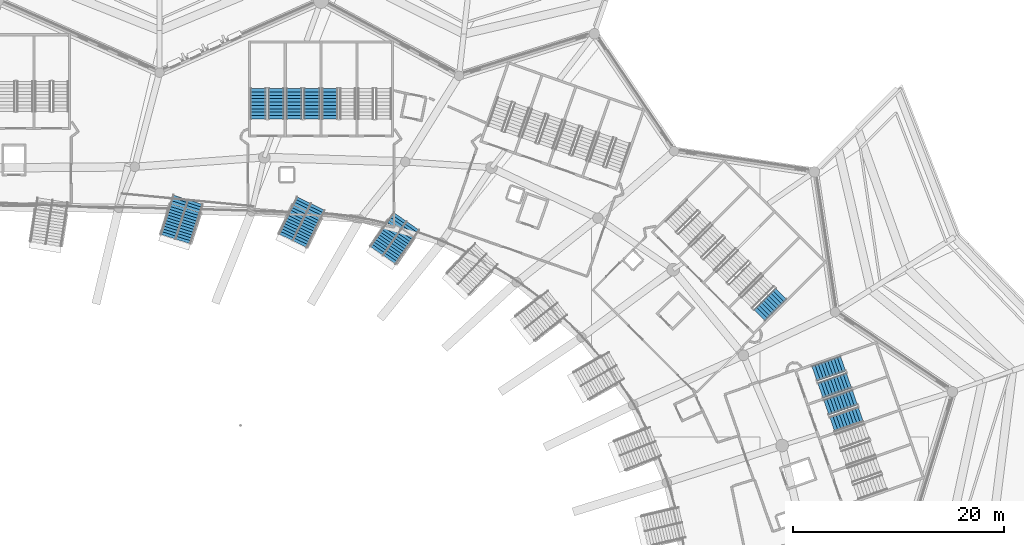
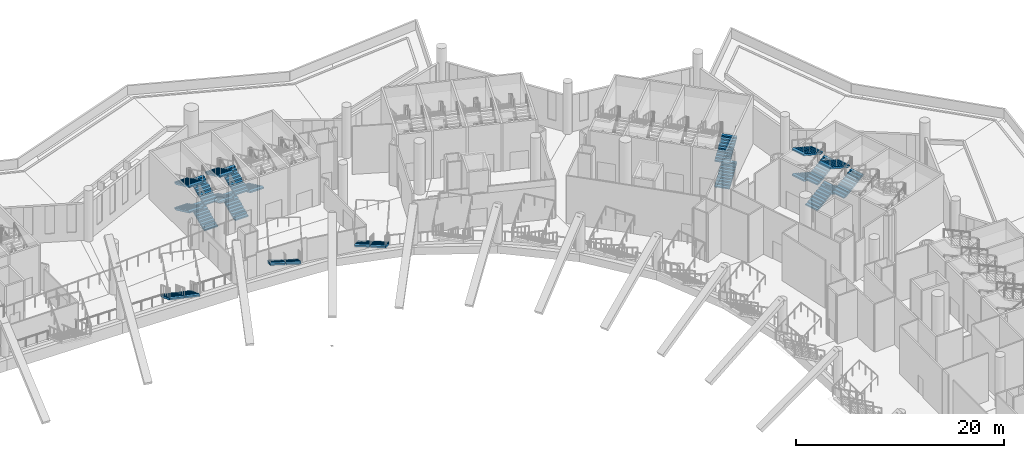
# One storey, part 100 of 173: 24 stair flights, 9 elements without a shape of their own.
"""IFC4 building model written with IfcOpenShell, lengths in metres."""

from ifc_helpers import new_model, si_unit, direction, frame, origin, place, context, subcontext, project, spatial, polyline, outline, extrude, material, type_object, element, aggregate, save


model = new_model("IFC4")

# Units and contexts
model_context = context("Model", 3, precision=1e-05, world=origin(), true_north=direction((0.0, 1.0)))
body_context = subcontext(model_context, "Body", "Model", "MODEL_VIEW")
ifc_project = project(units=[si_unit("LENGTHUNIT", "METRE"), si_unit("AREAUNIT", "SQUARE_METRE"), si_unit("VOLUMEUNIT", "CUBIC_METRE"), si_unit("PLANEANGLEUNIT", "RADIAN"), si_unit("MASSUNIT", "GRAM", prefix="KILO")], contexts=[model_context])

# Site, building, storey
site_placement = place(None, origin())
site = spatial("IfcSite", under=ifc_project, at=site_placement, CompositionType="ELEMENT")
building_placement = place(site_placement, origin())
building = spatial("IfcBuilding", under=site, at=building_placement, Name="Meseta Stadium", CompositionType="ELEMENT")
storey_placement = place(building_placement, frame((0.0, 0.0, 18.0)))
storey = spatial("IfcBuildingStorey", under=building, at=storey_placement, Name="L03", CompositionType="ELEMENT", Elevation=18.0)

# Stair, stair flights
ifc_material_1 = material(Name="Concrete C40/50", Category="concrete")
stair_type_1 = type_object("IfcStairType", Name="Exit stair 4 flights 150 mm risers", PredefinedType="HALF_TURN_STAIR", material=ifc_material_1)
stair_1_placement = place(storey_placement, origin())
stair_1 = element("IfcStair", 1, at=stair_1_placement, inside=storey, type_object=stair_type_1, Name="ST23 L03", PredefinedType="HALF_TURN_STAIR")
ifc_material_2 = material(Name="Concrete C40/50", Category="concrete")
stair_flight_type_1 = type_object("IfcStairFlightType", Name="Exit stair flight 150 mm risers, 4 per storey", PredefinedType="STRAIGHT", material=ifc_material_2)
stair_flight_1_placement = place(storey_placement, frame((89.029541015625, 67.75830078125, 1.5), z_axis=(0.0, 0.0, 1.0), x_axis=(-0.943883331955, -0.330279057248, 0.0)))
stair_flight_1 = element("IfcStairFlight", 2, at=stair_flight_1_placement, type_object=stair_flight_type_1, Name="ST23 L03 flight 2", NumberOfRisers=10, NumberOfTreads=9, PredefinedType="STRAIGHT", RiserHeight=0.15, TreadLength=0.32, context=body_context, shape_type="SweptSolid", body=[
    extrude(outline(polyline([(0.0, 0.0), (0.0, 0.14990234375), (0.320068359375, 0.14990234375), (0.320068359375, 0.300048828125), (0.639892578125, 0.300048828125), (0.639892578125, 0.449951171875), (0.9599609375, 0.449951171875), (0.9599609375, 0.60009765625), (1.280029296875, 0.60009765625), (1.280029296875, 0.75), (1.60009765625, 0.75), (1.60009765625, 0.89990234375), (1.919921875, 0.89990234375), (1.919921875, 1.050048828125), (2.239990234375, 1.050048828125), (2.239990234375, 1.199951171875), (2.56005859375, 1.199951171875), (2.56005859375, 1.35009765625), (2.8798828125, 1.35009765625), (2.8798828125, 1.184326171875), (0.353271484375, 0.0), (0.0, 0.0)])), frame((0.0, 0.75, 0.0), z_axis=(0.0, -1.0, 0.0), x_axis=(1.0, 0.0, 0.0)), (0.0, 0.0, 1.0), 1.5),
])
stair_flight_2_placement = place(storey_placement, frame((86.87255859375, 65.202392578125, 3.0), z_axis=(0.0, 0.0, 1.0), x_axis=(0.943883331955, 0.330279057248, 0.0)))
stair_flight_2 = element("IfcStairFlight", 3, at=stair_flight_2_placement, type_object=stair_flight_type_1, Name="ST23 L03 flight 3", NumberOfRisers=10, NumberOfTreads=9, PredefinedType="STRAIGHT", RiserHeight=0.15, TreadLength=0.32, context=body_context, shape_type="SweptSolid", body=[
    extrude(outline(polyline([(0.0, 0.0), (0.0, 0.14990234375), (0.320068359375, 0.14990234375), (0.320068359375, 0.300048828125), (0.639892578125, 0.300048828125), (0.639892578125, 0.449951171875), (0.9599609375, 0.449951171875), (0.9599609375, 0.60009765625), (1.280029296875, 0.60009765625), (1.280029296875, 0.75), (1.60009765625, 0.75), (1.60009765625, 0.89990234375), (1.919921875, 0.89990234375), (1.919921875, 1.050048828125), (2.239990234375, 1.050048828125), (2.239990234375, 1.199951171875), (2.56005859375, 1.199951171875), (2.56005859375, 1.35009765625), (2.8798828125, 1.35009765625), (2.8798828125, 1.184326171875), (0.353271484375, 0.0), (0.0, 0.0)])), frame((0.0, 0.75, 0.0), z_axis=(0.0, -1.0, 0.0), x_axis=(1.0, 0.0, 0.0)), (0.0, 0.0, 1.0), 1.5),
])
stair_flight_3_placement = place(storey_placement, frame((89.029541015625, 67.75830078125, 4.5), z_axis=(0.0, 0.0, 1.0), x_axis=(-0.943883331955, -0.330279057248, 0.0)))
stair_flight_3 = element("IfcStairFlight", 4, at=stair_flight_3_placement, type_object=stair_flight_type_1, Name="ST23 L03 flight 4", NumberOfRisers=10, NumberOfTreads=9, PredefinedType="STRAIGHT", RiserHeight=0.15, TreadLength=0.32, context=body_context, shape_type="SweptSolid", body=[
    extrude(outline(polyline([(0.0, 0.0), (0.0, 0.14990234375), (0.320068359375, 0.14990234375), (0.320068359375, 0.300048828125), (0.639892578125, 0.300048828125), (0.639892578125, 0.449951171875), (0.9599609375, 0.449951171875), (0.9599609375, 0.60009765625), (1.280029296875, 0.60009765625), (1.280029296875, 0.75), (1.60009765625, 0.75), (1.60009765625, 0.89990234375), (1.919921875, 0.89990234375), (1.919921875, 1.050048828125), (2.239990234375, 1.050048828125), (2.239990234375, 1.199951171875), (2.56005859375, 1.199951171875), (2.56005859375, 1.35009765625), (2.8798828125, 1.35009765625), (2.8798828125, 1.184326171875), (0.353271484375, 0.0), (0.0, 0.0)])), frame((0.0, 0.75, 0.0), z_axis=(0.0, -1.0, 0.0), x_axis=(1.0, 0.0, 0.0)), (0.0, 0.0, 1.0), 1.5),
])
aggregate(stair_1, [stair_flight_1, stair_flight_2, stair_flight_3])

stair_2_placement = place(storey_placement, origin())
stair_2 = element("IfcStair", 5, at=stair_2_placement, inside=storey, type_object=stair_type_1, Name="ST24 L03", PredefinedType="HALF_TURN_STAIR")
stair_flight_4_placement = place(storey_placement, frame((85.74951171875, 68.41162109375, 0.0), z_axis=(0.0, 0.0, 1.0), x_axis=(0.943883331955, 0.330279057248, 0.0)))
stair_flight_4 = element("IfcStairFlight", 6, at=stair_flight_4_placement, type_object=stair_flight_type_1, Name="ST24 L03 flight 1", NumberOfRisers=10, NumberOfTreads=9, PredefinedType="STRAIGHT", RiserHeight=0.15, TreadLength=0.32, context=body_context, shape_type="SweptSolid", body=[
    extrude(outline(polyline([(0.0, 0.0), (0.0, 0.14990234375), (0.320068359375, 0.14990234375), (0.320068359375, 0.300048828125), (0.639892578125, 0.300048828125), (0.639892578125, 0.449951171875), (0.9599609375, 0.449951171875), (0.9599609375, 0.60009765625), (1.280029296875, 0.60009765625), (1.280029296875, 0.75), (1.60009765625, 0.75), (1.60009765625, 0.89990234375), (1.919921875, 0.89990234375), (1.919921875, 1.050048828125), (2.239990234375, 1.050048828125), (2.239990234375, 1.199951171875), (2.56005859375, 1.199951171875), (2.56005859375, 1.35009765625), (2.8798828125, 1.35009765625), (2.8798828125, 1.184326171875), (0.353271484375, 0.0), (0.0, 0.0)])), frame((0.0, 0.75, 0.0), z_axis=(0.0, -1.0, 0.0), x_axis=(1.0, 0.0, 0.0)), (0.0, 0.0, 1.0), 1.5),
])
stair_flight_5_placement = place(storey_placement, frame((87.906494140625, 70.967529296875, 1.5), z_axis=(0.0, 0.0, 1.0), x_axis=(-0.943883331955, -0.330279057248, 0.0)))
stair_flight_5 = element("IfcStairFlight", 7, at=stair_flight_5_placement, type_object=stair_flight_type_1, Name="ST24 L03 flight 2", NumberOfRisers=10, NumberOfTreads=9, PredefinedType="STRAIGHT", RiserHeight=0.15, TreadLength=0.32, context=body_context, shape_type="SweptSolid", body=[
    extrude(outline(polyline([(0.0, 0.0), (0.0, 0.14990234375), (0.320068359375, 0.14990234375), (0.320068359375, 0.300048828125), (0.639892578125, 0.300048828125), (0.639892578125, 0.449951171875), (0.9599609375, 0.449951171875), (0.9599609375, 0.60009765625), (1.280029296875, 0.60009765625), (1.280029296875, 0.75), (1.60009765625, 0.75), (1.60009765625, 0.89990234375), (1.919921875, 0.89990234375), (1.919921875, 1.050048828125), (2.239990234375, 1.050048828125), (2.239990234375, 1.199951171875), (2.56005859375, 1.199951171875), (2.56005859375, 1.35009765625), (2.8798828125, 1.35009765625), (2.8798828125, 1.184326171875), (0.353271484375, 0.0), (0.0, 0.0)])), frame((0.0, 0.75, 0.0), z_axis=(0.0, -1.0, 0.0), x_axis=(1.0, 0.0, 0.0)), (0.0, 0.0, 1.0), 1.5),
])
stair_flight_6_placement = place(storey_placement, frame((85.74951171875, 68.41162109375, 3.0), z_axis=(0.0, 0.0, 1.0), x_axis=(0.943883331955, 0.330279057248, 0.0)))
stair_flight_6 = element("IfcStairFlight", 8, at=stair_flight_6_placement, type_object=stair_flight_type_1, Name="ST24 L03 flight 3", NumberOfRisers=10, NumberOfTreads=9, PredefinedType="STRAIGHT", RiserHeight=0.15, TreadLength=0.32, context=body_context, shape_type="SweptSolid", body=[
    extrude(outline(polyline([(0.0, 0.0), (0.0, 0.14990234375), (0.320068359375, 0.14990234375), (0.320068359375, 0.300048828125), (0.639892578125, 0.300048828125), (0.639892578125, 0.449951171875), (0.9599609375, 0.449951171875), (0.9599609375, 0.60009765625), (1.280029296875, 0.60009765625), (1.280029296875, 0.75), (1.60009765625, 0.75), (1.60009765625, 0.89990234375), (1.919921875, 0.89990234375), (1.919921875, 1.050048828125), (2.239990234375, 1.050048828125), (2.239990234375, 1.199951171875), (2.56005859375, 1.199951171875), (2.56005859375, 1.35009765625), (2.8798828125, 1.35009765625), (2.8798828125, 1.184326171875), (0.353271484375, 0.0), (0.0, 0.0)])), frame((0.0, 0.75, 0.0), z_axis=(0.0, -1.0, 0.0), x_axis=(1.0, 0.0, 0.0)), (0.0, 0.0, 1.0), 1.5),
])
stair_flight_7_placement = place(storey_placement, frame((87.906494140625, 70.967529296875, 4.5), z_axis=(0.0, 0.0, 1.0), x_axis=(-0.943883331955, -0.330279057248, 0.0)))
stair_flight_7 = element("IfcStairFlight", 9, at=stair_flight_7_placement, type_object=stair_flight_type_1, Name="ST24 L03 flight 4", NumberOfRisers=10, NumberOfTreads=9, PredefinedType="STRAIGHT", RiserHeight=0.15, TreadLength=0.32, context=body_context, shape_type="SweptSolid", body=[
    extrude(outline(polyline([(0.0, 0.0), (0.0, 0.14990234375), (0.320068359375, 0.14990234375), (0.320068359375, 0.300048828125), (0.639892578125, 0.300048828125), (0.639892578125, 0.449951171875), (0.9599609375, 0.449951171875), (0.9599609375, 0.60009765625), (1.280029296875, 0.60009765625), (1.280029296875, 0.75), (1.60009765625, 0.75), (1.60009765625, 0.89990234375), (1.919921875, 0.89990234375), (1.919921875, 1.050048828125), (2.239990234375, 1.050048828125), (2.239990234375, 1.199951171875), (2.56005859375, 1.199951171875), (2.56005859375, 1.35009765625), (2.8798828125, 1.35009765625), (2.8798828125, 1.184326171875), (0.353271484375, 0.0), (0.0, 0.0)])), frame((0.0, 0.75, 0.0), z_axis=(0.0, -1.0, 0.0), x_axis=(1.0, 0.0, 0.0)), (0.0, 0.0, 1.0), 1.5),
])
aggregate(stair_2, [stair_flight_4, stair_flight_5, stair_flight_6, stair_flight_7])

stair_3_placement = place(storey_placement, origin())
stair_3 = element("IfcStair", 10, at=stair_3_placement, inside=storey, type_object=stair_type_1, Name="ST25 L03", PredefinedType="HALF_TURN_STAIR")
stair_flight_8_placement = place(storey_placement, frame((79.9765625, 75.56201171875, 0.0), z_axis=(0.0, 0.0, 1.0), x_axis=(0.707106781187, 0.707106781187, 0.0)))
stair_flight_8 = element("IfcStairFlight", 11, at=stair_flight_8_placement, type_object=stair_flight_type_1, Name="ST25 L03 flight 1", NumberOfRisers=10, NumberOfTreads=9, PredefinedType="STRAIGHT", RiserHeight=0.15, TreadLength=0.32, context=body_context, shape_type="SweptSolid", body=[
    extrude(outline(polyline([(0.0, 0.0), (0.0, 0.14990234375), (0.320068359375, 0.14990234375), (0.320068359375, 0.300048828125), (0.639892578125, 0.300048828125), (0.639892578125, 0.449951171875), (0.9599609375, 0.449951171875), (0.9599609375, 0.60009765625), (1.280029296875, 0.60009765625), (1.280029296875, 0.75), (1.60009765625, 0.75), (1.60009765625, 0.89990234375), (1.919921875, 0.89990234375), (1.919921875, 1.050048828125), (2.239990234375, 1.050048828125), (2.239990234375, 1.199951171875), (2.56005859375, 1.199951171875), (2.56005859375, 1.35009765625), (2.8798828125, 1.35009765625), (2.8798828125, 1.184326171875), (0.353271484375, 0.0), (0.0, 0.0)])), frame((0.0, 0.75, 0.0), z_axis=(0.0, -1.0, 0.0), x_axis=(1.0, 0.0, 0.0)), (0.0, 0.0, 1.0), 1.5),
])
stair_flight_9_placement = place(storey_placement, frame((79.9765625, 75.56201171875, 3.0), z_axis=(0.0, 0.0, 1.0), x_axis=(0.707106781187, 0.707106781187, 0.0)))
stair_flight_9 = element("IfcStairFlight", 12, at=stair_flight_9_placement, type_object=stair_flight_type_1, Name="ST25 L03 flight 3", NumberOfRisers=10, NumberOfTreads=9, PredefinedType="STRAIGHT", RiserHeight=0.15, TreadLength=0.32, context=body_context, shape_type="SweptSolid", body=[
    extrude(outline(polyline([(0.0, 0.0), (0.0, 0.14990234375), (0.320068359375, 0.14990234375), (0.320068359375, 0.300048828125), (0.639892578125, 0.300048828125), (0.639892578125, 0.449951171875), (0.9599609375, 0.449951171875), (0.9599609375, 0.60009765625), (1.280029296875, 0.60009765625), (1.280029296875, 0.75), (1.60009765625, 0.75), (1.60009765625, 0.89990234375), (1.919921875, 0.89990234375), (1.919921875, 1.050048828125), (2.239990234375, 1.050048828125), (2.239990234375, 1.199951171875), (2.56005859375, 1.199951171875), (2.56005859375, 1.35009765625), (2.8798828125, 1.35009765625), (2.8798828125, 1.184326171875), (0.353271484375, 0.0), (0.0, 0.0)])), frame((0.0, 0.75, 0.0), z_axis=(0.0, -1.0, 0.0), x_axis=(1.0, 0.0, 0.0)), (0.0, 0.0, 1.0), 1.5),
])
aggregate(stair_3, [stair_flight_8, stair_flight_9])

# Stair, stair flight
stair_4_placement = place(storey_placement, origin())
stair_4 = element("IfcStair", 13, at=stair_4_placement, inside=storey, type_object=stair_type_1, Name="ST34 L03", PredefinedType="HALF_TURN_STAIR")
stair_flight_10_placement = place(storey_placement, frame((39.183349609375, 97.080078125, 1.5), z_axis=(0.0, 0.0, 1.0), x_axis=(0.0, -1.0, 0.0)))
stair_flight_10 = element("IfcStairFlight", 14, at=stair_flight_10_placement, type_object=stair_flight_type_1, Name="ST34 L03 flight 2", NumberOfRisers=10, NumberOfTreads=9, PredefinedType="STRAIGHT", RiserHeight=0.15, TreadLength=0.32, context=body_context, shape_type="SweptSolid", body=[
    extrude(outline(polyline([(0.0, 0.0), (0.0, 0.14990234375), (0.320068359375, 0.14990234375), (0.320068359375, 0.300048828125), (0.639892578125, 0.300048828125), (0.639892578125, 0.449951171875), (0.9599609375, 0.449951171875), (0.9599609375, 0.60009765625), (1.280029296875, 0.60009765625), (1.280029296875, 0.75), (1.60009765625, 0.75), (1.60009765625, 0.89990234375), (1.919921875, 0.89990234375), (1.919921875, 1.050048828125), (2.239990234375, 1.050048828125), (2.239990234375, 1.199951171875), (2.56005859375, 1.199951171875), (2.56005859375, 1.35009765625), (2.8798828125, 1.35009765625), (2.8798828125, 1.184326171875), (0.353271484375, 0.0), (0.0, 0.0)])), frame((0.0, 0.75, 0.0), z_axis=(0.0, -1.0, 0.0), x_axis=(1.0, 0.0, 0.0)), (0.0, 0.0, 1.0), 1.5),
])
aggregate(stair_4, [stair_flight_10])

# Stair, stair flights
stair_5_placement = place(storey_placement, origin())
stair_5 = element("IfcStair", 15, at=stair_5_placement, inside=storey, type_object=stair_type_1, Name="ST35 L03", PredefinedType="HALF_TURN_STAIR")
stair_flight_11_placement = place(storey_placement, frame((37.4833984375, 94.199951171875, 0.0), z_axis=(0.0, 0.0, 1.0), x_axis=(0.0, 1.0, 0.0)))
stair_flight_11 = element("IfcStairFlight", 16, at=stair_flight_11_placement, type_object=stair_flight_type_1, Name="ST35 L03 flight 1", NumberOfRisers=10, NumberOfTreads=9, PredefinedType="STRAIGHT", RiserHeight=0.15, TreadLength=0.32, context=body_context, shape_type="SweptSolid", body=[
    extrude(outline(polyline([(0.0, 0.0), (0.0, 0.14990234375), (0.320068359375, 0.14990234375), (0.320068359375, 0.300048828125), (0.639892578125, 0.300048828125), (0.639892578125, 0.449951171875), (0.9599609375, 0.449951171875), (0.9599609375, 0.60009765625), (1.280029296875, 0.60009765625), (1.280029296875, 0.75), (1.60009765625, 0.75), (1.60009765625, 0.89990234375), (1.919921875, 0.89990234375), (1.919921875, 1.050048828125), (2.239990234375, 1.050048828125), (2.239990234375, 1.199951171875), (2.56005859375, 1.199951171875), (2.56005859375, 1.35009765625), (2.8798828125, 1.35009765625), (2.8798828125, 1.184326171875), (0.353271484375, 0.0), (0.0, 0.0)])), frame((0.0, 0.75, 0.0), z_axis=(0.0, -1.0, 0.0), x_axis=(1.0, 0.0, 0.0)), (0.0, 0.0, 1.0), 1.5),
])
stair_flight_12_placement = place(storey_placement, frame((35.783447265625, 97.080078125, 1.5), z_axis=(0.0, 0.0, 1.0), x_axis=(0.0, -1.0, 0.0)))
stair_flight_12 = element("IfcStairFlight", 17, at=stair_flight_12_placement, type_object=stair_flight_type_1, Name="ST35 L03 flight 2", NumberOfRisers=10, NumberOfTreads=9, PredefinedType="STRAIGHT", RiserHeight=0.15, TreadLength=0.32, context=body_context, shape_type="SweptSolid", body=[
    extrude(outline(polyline([(0.0, 0.0), (0.0, 0.14990234375), (0.320068359375, 0.14990234375), (0.320068359375, 0.300048828125), (0.639892578125, 0.300048828125), (0.639892578125, 0.449951171875), (0.9599609375, 0.449951171875), (0.9599609375, 0.60009765625), (1.280029296875, 0.60009765625), (1.280029296875, 0.75), (1.60009765625, 0.75), (1.60009765625, 0.89990234375), (1.919921875, 0.89990234375), (1.919921875, 1.050048828125), (2.239990234375, 1.050048828125), (2.239990234375, 1.199951171875), (2.56005859375, 1.199951171875), (2.56005859375, 1.35009765625), (2.8798828125, 1.35009765625), (2.8798828125, 1.184326171875), (0.353271484375, 0.0), (0.0, 0.0)])), frame((0.0, 0.75, 0.0), z_axis=(0.0, -1.0, 0.0), x_axis=(1.0, 0.0, 0.0)), (0.0, 0.0, 1.0), 1.5),
])
stair_flight_13_placement = place(storey_placement, frame((37.4833984375, 94.199951171875, 3.0), z_axis=(0.0, 0.0, 1.0), x_axis=(0.0, 1.0, 0.0)))
stair_flight_13 = element("IfcStairFlight", 18, at=stair_flight_13_placement, type_object=stair_flight_type_1, Name="ST35 L03 flight 3", NumberOfRisers=10, NumberOfTreads=9, PredefinedType="STRAIGHT", RiserHeight=0.15, TreadLength=0.32, context=body_context, shape_type="SweptSolid", body=[
    extrude(outline(polyline([(0.0, 0.0), (0.0, 0.14990234375), (0.320068359375, 0.14990234375), (0.320068359375, 0.300048828125), (0.639892578125, 0.300048828125), (0.639892578125, 0.449951171875), (0.9599609375, 0.449951171875), (0.9599609375, 0.60009765625), (1.280029296875, 0.60009765625), (1.280029296875, 0.75), (1.60009765625, 0.75), (1.60009765625, 0.89990234375), (1.919921875, 0.89990234375), (1.919921875, 1.050048828125), (2.239990234375, 1.050048828125), (2.239990234375, 1.199951171875), (2.56005859375, 1.199951171875), (2.56005859375, 1.35009765625), (2.8798828125, 1.35009765625), (2.8798828125, 1.184326171875), (0.353271484375, 0.0), (0.0, 0.0)])), frame((0.0, 0.75, 0.0), z_axis=(0.0, -1.0, 0.0), x_axis=(1.0, 0.0, 0.0)), (0.0, 0.0, 1.0), 1.5),
])
stair_flight_14_placement = place(storey_placement, frame((35.783447265625, 97.080078125, 4.5), z_axis=(0.0, 0.0, 1.0), x_axis=(0.0, -1.0, 0.0)))
stair_flight_14 = element("IfcStairFlight", 19, at=stair_flight_14_placement, type_object=stair_flight_type_1, Name="ST35 L03 flight 4", NumberOfRisers=10, NumberOfTreads=9, PredefinedType="STRAIGHT", RiserHeight=0.15, TreadLength=0.32, context=body_context, shape_type="SweptSolid", body=[
    extrude(outline(polyline([(0.0, 0.0), (0.0, 0.14990234375), (0.320068359375, 0.14990234375), (0.320068359375, 0.300048828125), (0.639892578125, 0.300048828125), (0.639892578125, 0.449951171875), (0.9599609375, 0.449951171875), (0.9599609375, 0.60009765625), (1.280029296875, 0.60009765625), (1.280029296875, 0.75), (1.60009765625, 0.75), (1.60009765625, 0.89990234375), (1.919921875, 0.89990234375), (1.919921875, 1.050048828125), (2.239990234375, 1.050048828125), (2.239990234375, 1.199951171875), (2.56005859375, 1.199951171875), (2.56005859375, 1.35009765625), (2.8798828125, 1.35009765625), (2.8798828125, 1.184326171875), (0.353271484375, 0.0), (0.0, 0.0)])), frame((0.0, 0.75, 0.0), z_axis=(0.0, -1.0, 0.0), x_axis=(1.0, 0.0, 0.0)), (0.0, 0.0, 1.0), 1.5),
])
aggregate(stair_5, [stair_flight_11, stair_flight_12, stair_flight_13, stair_flight_14])

stair_6_placement = place(storey_placement, origin())
stair_6 = element("IfcStair", 20, at=stair_6_placement, inside=storey, type_object=stair_type_1, Name="ST36 L03", PredefinedType="HALF_TURN_STAIR")
stair_flight_15_placement = place(storey_placement, frame((34.083251953125, 94.199951171875, 0.0), z_axis=(0.0, 0.0, 1.0), x_axis=(0.0, 1.0, 0.0)))
stair_flight_15 = element("IfcStairFlight", 21, at=stair_flight_15_placement, type_object=stair_flight_type_1, Name="ST36 L03 flight 1", NumberOfRisers=10, NumberOfTreads=9, PredefinedType="STRAIGHT", RiserHeight=0.15, TreadLength=0.32, context=body_context, shape_type="SweptSolid", body=[
    extrude(outline(polyline([(0.0, 0.0), (0.0, 0.14990234375), (0.320068359375, 0.14990234375), (0.320068359375, 0.300048828125), (0.639892578125, 0.300048828125), (0.639892578125, 0.449951171875), (0.9599609375, 0.449951171875), (0.9599609375, 0.60009765625), (1.280029296875, 0.60009765625), (1.280029296875, 0.75), (1.60009765625, 0.75), (1.60009765625, 0.89990234375), (1.919921875, 0.89990234375), (1.919921875, 1.050048828125), (2.239990234375, 1.050048828125), (2.239990234375, 1.199951171875), (2.56005859375, 1.199951171875), (2.56005859375, 1.35009765625), (2.8798828125, 1.35009765625), (2.8798828125, 1.184326171875), (0.353271484375, 0.0), (0.0, 0.0)])), frame((0.0, 0.75, 0.0), z_axis=(0.0, -1.0, 0.0), x_axis=(1.0, 0.0, 0.0)), (0.0, 0.0, 1.0), 1.5),
])
stair_flight_16_placement = place(storey_placement, frame((32.38330078125, 97.080078125, 1.5), z_axis=(0.0, 0.0, 1.0), x_axis=(0.0, -1.0, 0.0)))
stair_flight_16 = element("IfcStairFlight", 22, at=stair_flight_16_placement, type_object=stair_flight_type_1, Name="ST36 L03 flight 2", NumberOfRisers=10, NumberOfTreads=9, PredefinedType="STRAIGHT", RiserHeight=0.15, TreadLength=0.32, context=body_context, shape_type="SweptSolid", body=[
    extrude(outline(polyline([(0.0, 0.0), (0.0, 0.14990234375), (0.320068359375, 0.14990234375), (0.320068359375, 0.300048828125), (0.639892578125, 0.300048828125), (0.639892578125, 0.449951171875), (0.9599609375, 0.449951171875), (0.9599609375, 0.60009765625), (1.280029296875, 0.60009765625), (1.280029296875, 0.75), (1.60009765625, 0.75), (1.60009765625, 0.89990234375), (1.919921875, 0.89990234375), (1.919921875, 1.050048828125), (2.239990234375, 1.050048828125), (2.239990234375, 1.199951171875), (2.56005859375, 1.199951171875), (2.56005859375, 1.35009765625), (2.8798828125, 1.35009765625), (2.8798828125, 1.184326171875), (0.353271484375, 0.0), (0.0, 0.0)])), frame((0.0, 0.75, 0.0), z_axis=(0.0, -1.0, 0.0), x_axis=(1.0, 0.0, 0.0)), (0.0, 0.0, 1.0), 1.5),
])
stair_flight_17_placement = place(storey_placement, frame((34.083251953125, 94.199951171875, 3.0), z_axis=(0.0, 0.0, 1.0), x_axis=(0.0, 1.0, 0.0)))
stair_flight_17 = element("IfcStairFlight", 23, at=stair_flight_17_placement, type_object=stair_flight_type_1, Name="ST36 L03 flight 3", NumberOfRisers=10, NumberOfTreads=9, PredefinedType="STRAIGHT", RiserHeight=0.15, TreadLength=0.32, context=body_context, shape_type="SweptSolid", body=[
    extrude(outline(polyline([(0.0, 0.0), (0.0, 0.14990234375), (0.320068359375, 0.14990234375), (0.320068359375, 0.300048828125), (0.639892578125, 0.300048828125), (0.639892578125, 0.449951171875), (0.9599609375, 0.449951171875), (0.9599609375, 0.60009765625), (1.280029296875, 0.60009765625), (1.280029296875, 0.75), (1.60009765625, 0.75), (1.60009765625, 0.89990234375), (1.919921875, 0.89990234375), (1.919921875, 1.050048828125), (2.239990234375, 1.050048828125), (2.239990234375, 1.199951171875), (2.56005859375, 1.199951171875), (2.56005859375, 1.35009765625), (2.8798828125, 1.35009765625), (2.8798828125, 1.184326171875), (0.353271484375, 0.0), (0.0, 0.0)])), frame((0.0, 0.75, 0.0), z_axis=(0.0, -1.0, 0.0), x_axis=(1.0, 0.0, 0.0)), (0.0, 0.0, 1.0), 1.5),
])
stair_flight_18_placement = place(storey_placement, frame((32.38330078125, 97.080078125, 4.5), z_axis=(0.0, 0.0, 1.0), x_axis=(0.0, -1.0, 0.0)))
stair_flight_18 = element("IfcStairFlight", 24, at=stair_flight_18_placement, type_object=stair_flight_type_1, Name="ST36 L03 flight 4", NumberOfRisers=10, NumberOfTreads=9, PredefinedType="STRAIGHT", RiserHeight=0.15, TreadLength=0.32, context=body_context, shape_type="SweptSolid", body=[
    extrude(outline(polyline([(0.0, 0.0), (0.0, 0.14990234375), (0.320068359375, 0.14990234375), (0.320068359375, 0.300048828125), (0.639892578125, 0.300048828125), (0.639892578125, 0.449951171875), (0.9599609375, 0.449951171875), (0.9599609375, 0.60009765625), (1.280029296875, 0.60009765625), (1.280029296875, 0.75), (1.60009765625, 0.75), (1.60009765625, 0.89990234375), (1.919921875, 0.89990234375), (1.919921875, 1.050048828125), (2.239990234375, 1.050048828125), (2.239990234375, 1.199951171875), (2.56005859375, 1.199951171875), (2.56005859375, 1.35009765625), (2.8798828125, 1.35009765625), (2.8798828125, 1.184326171875), (0.353271484375, 0.0), (0.0, 0.0)])), frame((0.0, 0.75, 0.0), z_axis=(0.0, -1.0, 0.0), x_axis=(1.0, 0.0, 0.0)), (0.0, 0.0, 1.0), 1.5),
])
aggregate(stair_6, [stair_flight_15, stair_flight_16, stair_flight_17, stair_flight_18])

ifc_material_3 = material(Name="Concrete C40/50", Category="concrete")
stair_type_2 = type_object("IfcStairType", Name="Vomitory stair 3000", PredefinedType="STRAIGHT_RUN_STAIR", material=ifc_material_3)
stair_7_placement = place(storey_placement, origin())
stair_7 = element("IfcStair", 25, at=stair_7_placement, inside=storey, type_object=stair_type_2, Name="Vomitory V-upper-15", PredefinedType="STRAIGHT_RUN_STAIR")
ifc_material_4 = material(Name="Concrete C40/50", Category="concrete")
stair_flight_type_2 = type_object("IfcStairFlightType", Name="Vomitory stair flight 1450", PredefinedType="STRAIGHT", material=ifc_material_4)
stair_flight_19_placement = place(storey_placement, frame((47.088134765625, 84.03515625, 0.0), z_axis=(0.0, 0.0, 1.0), x_axis=(-0.567899772853, -0.82309771473, 0.0)))
stair_flight_19 = element("IfcStairFlight", 26, at=stair_flight_19_placement, type_object=stair_flight_type_2, Name="Vomitory V-upper-15 flight 1", NumberOfRisers=15, NumberOfTreads=14, PredefinedType="STRAIGHT", RiserHeight=0.164766, TreadLength=0.28, context=body_context, shape_type="SweptSolid", body=[
    extrude(outline(polyline([(0.0, 0.0), (0.0, 0.164794921875), (0.280029296875, 0.164794921875), (0.280029296875, 0.32958984375), (0.56005859375, 0.32958984375), (0.56005859375, 0.494384765625), (0.840087890625, 0.494384765625), (0.840087890625, 0.6591796875), (1.1201171875, 0.6591796875), (1.1201171875, 0.82373046875), (1.39990234375, 0.82373046875), (1.39990234375, 0.988525390625), (1.679931640625, 0.988525390625), (1.679931640625, 1.1533203125), (1.9599609375, 1.1533203125), (1.9599609375, 1.318115234375), (2.239990234375, 1.318115234375), (2.239990234375, 1.48291015625), (2.52001953125, 1.48291015625), (2.52001953125, 1.647705078125), (2.800048828125, 1.647705078125), (2.800048828125, 1.8125), (3.080078125, 1.8125), (3.080078125, 1.977294921875), (3.360107421875, 1.977294921875), (3.360107421875, 2.141845703125), (3.639892578125, 2.141845703125), (3.639892578125, 2.306640625), (3.919921875, 2.306640625), (3.919921875, 2.1328125), (0.295654296875, 0.0), (0.0, 0.0)])), frame((0.0, 0.72509765625, 0.0), z_axis=(0.0, -1.0, 0.0), x_axis=(1.0, 0.0, 0.0)), (0.0, 0.0, 1.0), 1.449951171875),
])
stair_flight_20_placement = place(storey_placement, frame((45.812255859375, 84.91552734375, 0.0), z_axis=(0.0, 0.0, 1.0), x_axis=(-0.567899772853, -0.82309771473, 0.0)))
stair_flight_20 = element("IfcStairFlight", 27, at=stair_flight_20_placement, type_object=stair_flight_type_2, Name="Vomitory V-upper-15 flight 2", NumberOfRisers=15, NumberOfTreads=14, PredefinedType="STRAIGHT", RiserHeight=0.164766, TreadLength=0.28, context=body_context, shape_type="SweptSolid", body=[
    extrude(outline(polyline([(0.0, 0.0), (0.0, 0.164794921875), (0.280029296875, 0.164794921875), (0.280029296875, 0.32958984375), (0.56005859375, 0.32958984375), (0.56005859375, 0.494384765625), (0.840087890625, 0.494384765625), (0.840087890625, 0.6591796875), (1.1201171875, 0.6591796875), (1.1201171875, 0.82373046875), (1.39990234375, 0.82373046875), (1.39990234375, 0.988525390625), (1.679931640625, 0.988525390625), (1.679931640625, 1.1533203125), (1.9599609375, 1.1533203125), (1.9599609375, 1.318115234375), (2.239990234375, 1.318115234375), (2.239990234375, 1.48291015625), (2.52001953125, 1.48291015625), (2.52001953125, 1.647705078125), (2.800048828125, 1.647705078125), (2.800048828125, 1.8125), (3.080078125, 1.8125), (3.080078125, 1.977294921875), (3.360107421875, 1.977294921875), (3.360107421875, 2.141845703125), (3.639892578125, 2.141845703125), (3.639892578125, 2.306640625), (3.919921875, 2.306640625), (3.919921875, 2.1328125), (0.295654296875, 0.0), (0.0, 0.0)])), frame((0.0, 0.72509765625, 0.0), z_axis=(0.0, -1.0, 0.0), x_axis=(1.0, 0.0, 0.0)), (0.0, 0.0, 1.0), 1.449951171875),
])
aggregate(stair_7, [stair_flight_19, stair_flight_20])

stair_8_placement = place(storey_placement, origin())
stair_8 = element("IfcStair", 28, at=stair_8_placement, inside=storey, type_object=stair_type_2, Name="Vomitory V-upper-16", PredefinedType="STRAIGHT_RUN_STAIR")
stair_flight_21_placement = place(storey_placement, frame((38.072021484375, 85.824462890625, 0.0), z_axis=(0.0, 0.0, 1.0), x_axis=(-0.437966379942, -0.898991351483, 0.0)))
stair_flight_21 = element("IfcStairFlight", 29, at=stair_flight_21_placement, type_object=stair_flight_type_2, Name="Vomitory V-upper-16 flight 1", NumberOfRisers=15, NumberOfTreads=14, PredefinedType="STRAIGHT", RiserHeight=0.173281, TreadLength=0.28, context=body_context, shape_type="SweptSolid", body=[
    extrude(outline(polyline([(0.0, 0.0), (0.0, 0.17333984375), (0.280029296875, 0.17333984375), (0.280029296875, 0.3466796875), (0.56005859375, 0.3466796875), (0.56005859375, 0.519775390625), (0.840087890625, 0.519775390625), (0.840087890625, 0.693115234375), (1.1201171875, 0.693115234375), (1.1201171875, 0.866455078125), (1.39990234375, 0.866455078125), (1.39990234375, 1.039794921875), (1.679931640625, 1.039794921875), (1.679931640625, 1.212890625), (1.9599609375, 1.212890625), (1.9599609375, 1.38623046875), (2.239990234375, 1.38623046875), (2.239990234375, 1.5595703125), (2.52001953125, 1.5595703125), (2.52001953125, 1.73291015625), (2.800048828125, 1.73291015625), (2.800048828125, 1.906005859375), (3.080078125, 1.906005859375), (3.080078125, 2.079345703125), (3.360107421875, 2.079345703125), (3.360107421875, 2.252685546875), (3.639892578125, 2.252685546875), (3.639892578125, 2.426025390625), (3.919921875, 2.426025390625), (3.919921875, 2.249755859375), (0.284912109375, 0.0), (0.0, 0.0)])), frame((0.0, 0.72509765625, 0.0), z_axis=(0.0, -1.0, 0.0), x_axis=(1.0, 0.0, 0.0)), (0.0, 0.0, 1.0), 1.449951171875),
])
stair_flight_22_placement = place(storey_placement, frame((36.678466796875, 86.50341796875, 0.0), z_axis=(0.0, 0.0, 1.0), x_axis=(-0.437966379942, -0.898991351483, 0.0)))
stair_flight_22 = element("IfcStairFlight", 30, at=stair_flight_22_placement, type_object=stair_flight_type_2, Name="Vomitory V-upper-16 flight 2", NumberOfRisers=15, NumberOfTreads=14, PredefinedType="STRAIGHT", RiserHeight=0.173281, TreadLength=0.28, context=body_context, shape_type="SweptSolid", body=[
    extrude(outline(polyline([(0.0, 0.0), (0.0, 0.17333984375), (0.280029296875, 0.17333984375), (0.280029296875, 0.3466796875), (0.56005859375, 0.3466796875), (0.56005859375, 0.519775390625), (0.840087890625, 0.519775390625), (0.840087890625, 0.693115234375), (1.1201171875, 0.693115234375), (1.1201171875, 0.866455078125), (1.39990234375, 0.866455078125), (1.39990234375, 1.039794921875), (1.679931640625, 1.039794921875), (1.679931640625, 1.212890625), (1.9599609375, 1.212890625), (1.9599609375, 1.38623046875), (2.239990234375, 1.38623046875), (2.239990234375, 1.5595703125), (2.52001953125, 1.5595703125), (2.52001953125, 1.73291015625), (2.800048828125, 1.73291015625), (2.800048828125, 1.906005859375), (3.080078125, 1.906005859375), (3.080078125, 2.079345703125), (3.360107421875, 2.079345703125), (3.360107421875, 2.252685546875), (3.639892578125, 2.252685546875), (3.639892578125, 2.426025390625), (3.919921875, 2.426025390625), (3.919921875, 2.249755859375), (0.284912109375, 0.0), (0.0, 0.0)])), frame((0.0, 0.72509765625, 0.0), z_axis=(0.0, -1.0, 0.0), x_axis=(1.0, 0.0, 0.0)), (0.0, 0.0, 1.0), 1.449951171875),
])
aggregate(stair_8, [stair_flight_21, stair_flight_22])

stair_9_placement = place(storey_placement, origin())
stair_9 = element("IfcStair", 31, at=stair_9_placement, inside=storey, type_object=stair_type_2, Name="Vomitory V-upper-17", PredefinedType="STRAIGHT_RUN_STAIR")
stair_flight_23_placement = place(storey_placement, frame((26.451416015625, 86.29052734375, 0.0), z_axis=(0.0, 0.0, 1.0), x_axis=(-0.302579501013, -0.953124150133, 0.0)))
stair_flight_23 = element("IfcStairFlight", 32, at=stair_flight_23_placement, type_object=stair_flight_type_2, Name="Vomitory V-upper-17 flight 1", NumberOfRisers=15, NumberOfTreads=14, PredefinedType="STRAIGHT", RiserHeight=0.165024, TreadLength=0.28, context=body_context, shape_type="SweptSolid", body=[
    extrude(outline(polyline([(0.0, 0.0), (0.0, 0.1650390625), (0.280029296875, 0.1650390625), (0.280029296875, 0.330078125), (0.56005859375, 0.330078125), (0.56005859375, 0.4951171875), (0.840087890625, 0.4951171875), (0.840087890625, 0.66015625), (1.1201171875, 0.66015625), (1.1201171875, 0.8251953125), (1.39990234375, 0.8251953125), (1.39990234375, 0.990234375), (1.679931640625, 0.990234375), (1.679931640625, 1.1552734375), (1.9599609375, 1.1552734375), (1.9599609375, 1.3203125), (2.239990234375, 1.3203125), (2.239990234375, 1.485107421875), (2.52001953125, 1.485107421875), (2.52001953125, 1.650146484375), (2.800048828125, 1.650146484375), (2.800048828125, 1.815185546875), (3.080078125, 1.815185546875), (3.080078125, 1.980224609375), (3.360107421875, 1.980224609375), (3.360107421875, 2.145263671875), (3.639892578125, 2.145263671875), (3.639892578125, 2.310302734375), (3.919921875, 2.310302734375), (3.919921875, 2.13623046875), (0.295166015625, 0.0), (0.0, 0.0)])), frame((0.0, 0.72509765625, 0.0), z_axis=(0.0, -1.0, 0.0), x_axis=(1.0, 0.0, 0.0)), (0.0, 0.0, 1.0), 1.449951171875),
])
stair_flight_24_placement = place(storey_placement, frame((24.97412109375, 86.759521484375, 0.0), z_axis=(0.0, 0.0, 1.0), x_axis=(-0.302579501013, -0.953124150133, 0.0)))
stair_flight_24 = element("IfcStairFlight", 33, at=stair_flight_24_placement, type_object=stair_flight_type_2, Name="Vomitory V-upper-17 flight 2", NumberOfRisers=15, NumberOfTreads=14, PredefinedType="STRAIGHT", RiserHeight=0.165024, TreadLength=0.28, context=body_context, shape_type="SweptSolid", body=[
    extrude(outline(polyline([(0.0, 0.0), (0.0, 0.1650390625), (0.280029296875, 0.1650390625), (0.280029296875, 0.330078125), (0.56005859375, 0.330078125), (0.56005859375, 0.4951171875), (0.840087890625, 0.4951171875), (0.840087890625, 0.66015625), (1.1201171875, 0.66015625), (1.1201171875, 0.8251953125), (1.39990234375, 0.8251953125), (1.39990234375, 0.990234375), (1.679931640625, 0.990234375), (1.679931640625, 1.1552734375), (1.9599609375, 1.1552734375), (1.9599609375, 1.3203125), (2.239990234375, 1.3203125), (2.239990234375, 1.485107421875), (2.52001953125, 1.485107421875), (2.52001953125, 1.650146484375), (2.800048828125, 1.650146484375), (2.800048828125, 1.815185546875), (3.080078125, 1.815185546875), (3.080078125, 1.980224609375), (3.360107421875, 1.980224609375), (3.360107421875, 2.145263671875), (3.639892578125, 2.145263671875), (3.639892578125, 2.310302734375), (3.919921875, 2.310302734375), (3.919921875, 2.13623046875), (0.295166015625, 0.0), (0.0, 0.0)])), frame((0.0, 0.72509765625, 0.0), z_axis=(0.0, -1.0, 0.0), x_axis=(1.0, 0.0, 0.0)), (0.0, 0.0, 1.0), 1.449951171875),
])
aggregate(stair_9, [stair_flight_23, stair_flight_24])

save(model, "model.ifc")
